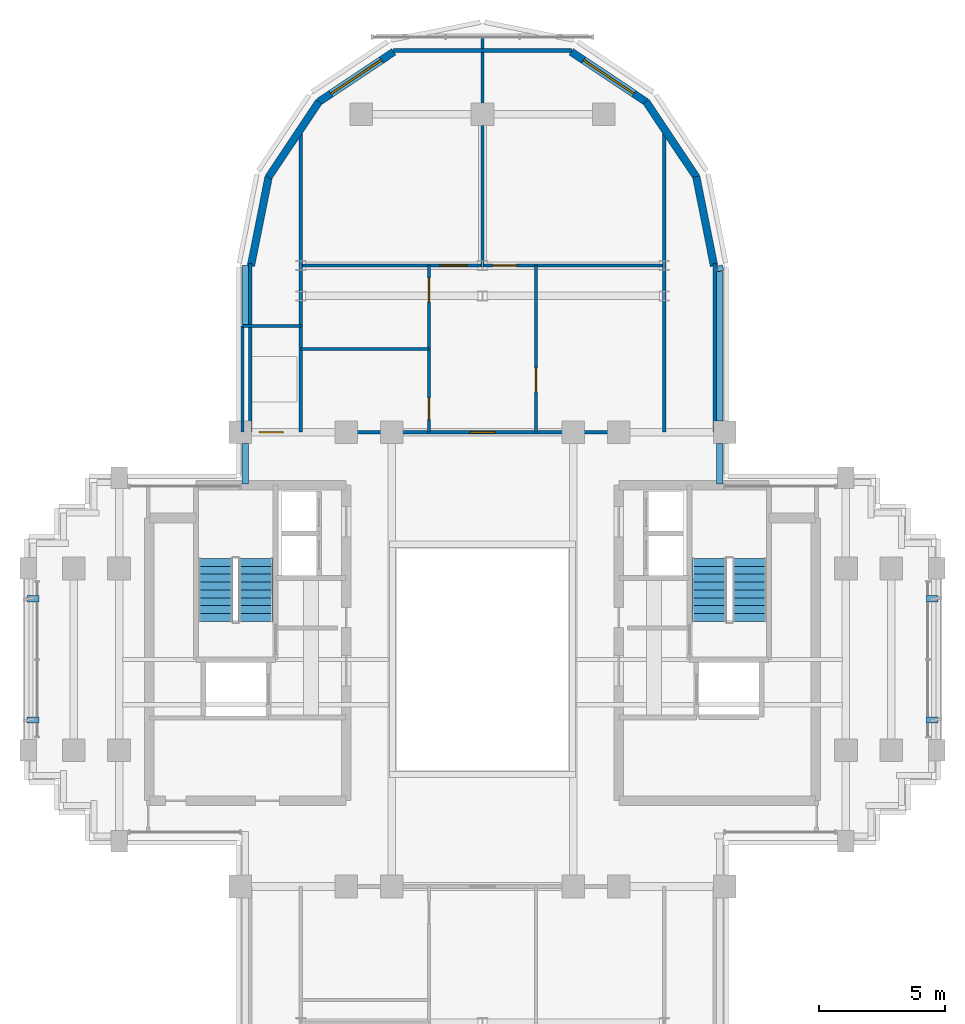
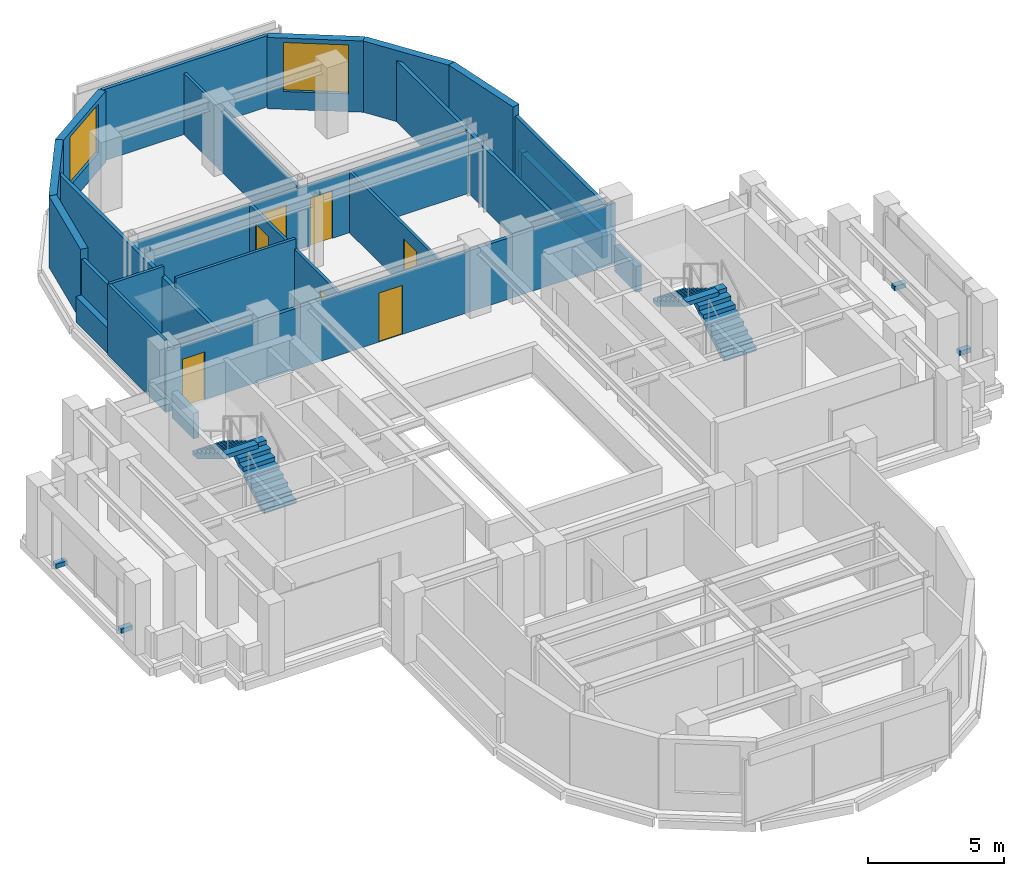
# One storey, part 8 of 11: 24 walls, 7 doors, 4 discrete accessories, 4 stair flights, 2 windows, 9 openings, 2 elements without a shape of their own.
"""IFC4 building model written with IfcOpenShell, lengths in metres."""

from ifc_helpers import new_model, si_unit, direction, frame, frame_2d, origin, origin_2d, place, context, subcontext, project, spatial, polyline, rectangle, outline, extrude, source, transform, mapped, material, layer, layer_set, type_object, element, fill, aggregate, save


model = new_model("IFC4")

# Units and contexts
model_context = context("Model", 3, precision=1e-05, world=origin(), true_north=direction((0.0, 1.0)))
body_context = subcontext(model_context, "Body", "Model", "MODEL_VIEW")
ifc_project = project(units=[si_unit("LENGTHUNIT", "METRE"), si_unit("AREAUNIT", "SQUARE_METRE"), si_unit("VOLUMEUNIT", "CUBIC_METRE"), si_unit("PLANEANGLEUNIT", "RADIAN"), si_unit("MASSUNIT", "GRAM", prefix="KILO")], contexts=[model_context])

# Site, building, storey
site_placement = place(None, origin())
site = spatial("IfcSite", under=ifc_project, at=site_placement, CompositionType="ELEMENT")
building_placement = place(site_placement, origin())
building = spatial("IfcBuilding", under=site, at=building_placement, Name="Keilestroom Media Tower", CompositionType="ELEMENT")
storey_placement = place(building_placement, frame((0.0, 0.0, 204.60009765625)))
storey = spatial("IfcBuildingStorey", under=building, at=storey_placement, Name="L56", CompositionType="ELEMENT", Elevation=204.60009765625)

# Walls
ifc_material_1 = material(Name="Precast concrete C40/50", Category="concrete")
ifc_layer_1 = layer(ifc_material_1, 0.300048828125)
ifc_layer_set_1 = layer_set([ifc_layer_1], Name="Precast concrete C40/50")
wall_type_1 = type_object("IfcWallType", Name="Exterior-Masonry-Spandrel-Wall-300", PredefinedType="SOLIDWALL", material=ifc_layer_set_1)
for number, where, z_axis, x_axis, name in (
    (1, (9.1748046875, 15.585205078125, 0.0), (0.0, 0.0, 1.0), (-0.195114232679, 0.980780523974, 0.0), "L56 Lobe Facet Precast Frame Wall 01"),
    (2, (8.48193359375, 19.097412109375, 0.0), (0.0, 0.0, 1.0), (-0.555574187116, 0.831466970246, 0.0), "L56 Lobe Facet Precast Frame Wall 02"),
):
    element("IfcWall", number, at=place(storey_placement, frame(where, z_axis=z_axis, x_axis=x_axis)), inside=storey, type_object=wall_type_1, Name=name, PredefinedType="SOLIDWALL", context=body_context, shape_type="SweptSolid", body=[
        extrude(rectangle(XDim=3.608642578125, YDim=0.300048828125, at=frame_2d((1.80419921875, 0.0))), origin(), (0.0, 0.0, 1.0), 3.199951171875),
    ])

# Wall, opening, window
wall_1_placement = place(storey_placement, frame((6.497802734375, 22.0771484375, 0.0), z_axis=(0.0, 0.0, 1.0), x_axis=(-0.8314749531, 0.555562239868, 0.0)))
wall_1 = element("IfcWall", 3, at=wall_1_placement, inside=storey, type_object=wall_type_1, Name="L56 Lobe Facet Precast Frame Wall 03", PredefinedType="SOLIDWALL", context=body_context, shape_type="SweptSolid", body=[
    extrude(rectangle(XDim=3.59326171875, YDim=0.300048828125, at=frame_2d((1.796630859375, 0.0))), origin(), (0.0, 0.0, 1.0), 3.199951171875),
])
opening_1_placement = place(wall_1_placement, frame((0.596923828125, 0.0, 0.800048828125)))
opening_1 = element("IfcOpeningElement", 4, at=opening_1_placement, cuts=wall_1, Name="Opening WN-02", PredefinedType="OPENING", context=body_context, shape_type="SweptSolid", body=[
    extrude(rectangle(XDim=2.39990234375, YDim=2.199951171875, at=frame_2d((1.199951171875, 1.10009765625))), frame((0.0, 0.16015625, 0.0), z_axis=(0.0, -1.0, 0.0), x_axis=(1.0, 0.0, 0.0)), (0.0, 0.0, 1.0), 0.320068359375),
])
ifc_material_2 = material(Name="Triple Glazed Low-E Window Unit", Category="glass")
window_type = type_object("IfcWindowType", Name="Recessed-Punched-Window-WN-02", PartitioningType="DOUBLE_PANEL_VERTICAL", PredefinedType="WINDOW", material=ifc_material_2)
shared_shape_1 = source(origin(), body_context, "Body", "SweptSolid", [
    extrude(rectangle(XDim=2.39990234375, YDim=2.199951171875, at=frame_2d((1.199951171875, 1.10009765625))), frame((0.0, 0.030029296875, 0.0), z_axis=(0.0, -1.0, 0.0), x_axis=(1.0, 0.0, 0.0)), (0.0, 0.0, 1.0), 0.06005859375),
])
window_1_placement = place(opening_1_placement, origin())
window_1 = element("IfcWindow", 5, at=window_1_placement, inside=storey, type_object=window_type, Name="L56 Bedroom Lobe Window WN-02 EWL-L56-LCHK-03", OverallHeight=2.199951171875, OverallWidth=2.39990234375, PartitioningType="SINGLE_PANEL", PredefinedType="WINDOW", context=body_context, shape_type="MappedRepresentation", body=[
    mapped(shared_shape_1, transform((0.0, 0.0, 0.0), x_axis=(1.0, 0.0, 0.0), y_axis=(0.0, 1.0, 0.0), z_axis=(0.0, 0.0, 1.0), scale=1.0)),
])
fill(opening_1, window_1)

wall_2_placement = place(storey_placement, frame((-3.510009765625, 24.073486328125, 0.0), z_axis=(0.0, 0.0, 1.0), x_axis=(-0.8314749531, -0.555562239868, 0.0)))
wall_2 = element("IfcWall", 6, at=wall_2_placement, inside=storey, type_object=wall_type_1, Name="L56 Lobe Facet Precast Frame Wall 04", PredefinedType="SOLIDWALL", context=body_context, shape_type="SweptSolid", body=[
    extrude(rectangle(XDim=3.59326171875, YDim=0.300048828125, at=frame_2d((1.796630859375, 0.0))), origin(), (0.0, 0.0, 1.0), 3.199951171875),
])
opening_2_placement = place(wall_2_placement, frame((0.596923828125, 0.0, 0.800048828125)))
opening_2 = element("IfcOpeningElement", 7, at=opening_2_placement, cuts=wall_2, Name="Opening WN-02", PredefinedType="OPENING", context=body_context, shape_type="SweptSolid", body=[
    extrude(rectangle(XDim=2.39990234375, YDim=2.199951171875, at=frame_2d((1.199951171875, 1.10009765625))), frame((0.0, 0.16015625, 0.0), z_axis=(0.0, -1.0, 0.0), x_axis=(1.0, 0.0, 0.0)), (0.0, 0.0, 1.0), 0.320068359375),
])
window_2_placement = place(opening_2_placement, origin())
window_2 = element("IfcWindow", 8, at=window_2_placement, inside=storey, type_object=window_type, Name="L56 Bedroom Lobe Window WN-02 EWL-L56-LCHK-04", OverallHeight=2.199951171875, OverallWidth=2.39990234375, PartitioningType="SINGLE_PANEL", PredefinedType="WINDOW", context=body_context, shape_type="MappedRepresentation", body=[
    mapped(shared_shape_1, transform((0.0, 0.0, 0.0), x_axis=(1.0, 0.0, 0.0), y_axis=(0.0, 1.0, 0.0), z_axis=(0.0, 0.0, 1.0), scale=1.0)),
])
fill(opening_2, window_2)

# Walls
for number, where, z_axis, x_axis, name in (
    (9, (-6.47705078125, 22.097900390625, 0.0), (0.0, 0.0, 1.0), (-0.555574187116, -0.831466970246, 0.0), "L56 Lobe Facet Precast Frame Wall 05"),
    (10, (-8.470703125, 19.12451171875, 0.0), (0.0, 0.0, 1.0), (-0.195114232679, -0.980780523974, 0.0), "L56 Lobe Facet Precast Frame Wall 06"),
):
    element("IfcWall", number, at=place(storey_placement, frame(where, z_axis=z_axis, x_axis=x_axis)), inside=storey, type_object=wall_type_1, Name=name, PredefinedType="SOLIDWALL", context=body_context, shape_type="SweptSolid", body=[
        extrude(rectangle(XDim=3.608642578125, YDim=0.300048828125, at=frame_2d((1.80419921875, 0.0))), origin(), (0.0, 0.0, 1.0), 3.199951171875),
    ])

# Wall, openings, doors
ifc_material_3 = material(Name="Gypsum Plasterboard & Steel Stud", Category="steel")
ifc_layer_2 = layer(ifc_material_3, 0.1201171875)
ifc_layer_set_2 = layer_set([ifc_layer_2], Name="Gypsum Plasterboard & Steel Stud")
wall_type_2 = type_object("IfcWallType", Name="Interior-Partition-Wall-120", PredefinedType="PARTITIONING", material=ifc_layer_set_2)
wall_3_placement = place(storey_placement, frame((-2.1201171875, 9.0, 0.0), z_axis=(0.0, 0.0, 1.0), x_axis=(0.0, 1.0, 0.0)))
wall_3 = element("IfcWall", 11, at=wall_3_placement, inside=storey, type_object=wall_type_2, Name="L56 Interior Wall WP-L56-FW-N-HW", PredefinedType="PARTITIONING", context=body_context, shape_type="SweptSolid", body=[
    extrude(rectangle(XDim=6.60009765625, YDim=0.1201171875, at=frame_2d((3.300048828125, 0.0))), origin(), (0.0, 0.0, 1.0), 2.75),
])
opening_3_placement = place(wall_3_placement, frame((0.5, 0.0, 0.0)))
opening_3 = element("IfcOpeningElement", 12, at=opening_3_placement, cuts=wall_3, Name="Opening DI-05", PredefinedType="OPENING", context=body_context, shape_type="SweptSolid", body=[
    extrude(rectangle(XDim=0.85009765625, YDim=2.10009765625, at=frame_2d((0.425048828125, 1.050048828125))), frame((0.0, 0.070068359375, 0.0), z_axis=(0.0, -1.0, 0.0), x_axis=(1.0, 0.0, 0.0)), (0.0, 0.0, 1.0), 0.14013671875),
])
opening_4_placement = place(wall_3_placement, frame((5.14990234375, 0.0, 0.0)))
opening_4 = element("IfcOpeningElement", 13, at=opening_4_placement, cuts=wall_3, Name="Opening DI-03", PredefinedType="OPENING", context=body_context, shape_type="SweptSolid", body=[
    extrude(rectangle(XDim=0.949951171875, YDim=2.14990234375, at=frame_2d((0.47509765625, 1.074951171875))), frame((0.0, 0.070068359375, 0.0), z_axis=(0.0, -1.0, 0.0), x_axis=(1.0, 0.0, 0.0)), (0.0, 0.0, 1.0), 0.14013671875),
])
ifc_material_4 = material(Name="Lacquered European Oak Leaf", Category="wood")
door_type_1 = type_object("IfcDoorType", Name="Interior-Room-And-Suite-Door-DI-03", OperationType="NOTDEFINED", PredefinedType="DOOR", material=ifc_material_4)
shared_shape_2 = source(origin(), body_context, "Body", "SweptSolid", [
    extrude(rectangle(XDim=0.949951171875, YDim=2.14990234375, at=frame_2d((0.47509765625, 1.074951171875))), frame((0.0, 0.02490234375, 0.0), z_axis=(0.0, -1.0, 0.0), x_axis=(1.0, 0.0, 0.0)), (0.0, 0.0, 1.0), 0.050048828125),
])
door_1_placement = place(opening_4_placement, origin())
door_1 = element("IfcDoor", 14, at=door_1_placement, inside=storey, type_object=door_type_1, Name="L56 Interior Door DI-L56-DFBD2-N", OperationType="SINGLE_SWING_RIGHT", OverallHeight=2.14990234375, OverallWidth=0.949951171875, PredefinedType="DOOR", context=body_context, shape_type="MappedRepresentation", body=[
    mapped(shared_shape_2, transform((0.0, 0.0, 0.0), x_axis=(1.0, 0.0, 0.0), y_axis=(0.0, 1.0, 0.0), z_axis=(0.0, 0.0, 1.0), scale=1.0)),
])
fill(opening_4, door_1)
ifc_material_5 = material(Name="Moisture-Resistant Oak Leaf", Category="wood")
door_type_2 = type_object("IfcDoorType", Name="Interior-En-Suite-And-Cupboard-Door-DI-05", OperationType="NOTDEFINED", PredefinedType="DOOR", material=ifc_material_5)
shared_shape_3 = source(origin(), body_context, "Body", "SweptSolid", [
    extrude(rectangle(XDim=0.85009765625, YDim=2.10009765625, at=frame_2d((0.425048828125, 1.050048828125))), frame((0.0, 0.02490234375, 0.0), z_axis=(0.0, -1.0, 0.0), x_axis=(1.0, 0.0, 0.0)), (0.0, 0.0, 1.0), 0.050048828125),
])
door_2_placement = place(opening_3_placement, origin())
door_2 = element("IfcDoor", 15, at=door_2_placement, inside=storey, type_object=door_type_2, Name="L56 Interior Door DI-L56-DFBTH-N", OperationType="SINGLE_SWING_LEFT", OverallHeight=2.10009765625, OverallWidth=0.85009765625, PredefinedType="DOOR", context=body_context, shape_type="MappedRepresentation", body=[
    mapped(shared_shape_3, transform((0.0, 0.0, 0.0), x_axis=(1.0, 0.0, 0.0), y_axis=(0.0, 1.0, 0.0), z_axis=(0.0, 0.0, 1.0), scale=1.0)),
])
fill(opening_3, door_2)

# Wall
wall_4_placement = place(storey_placement, frame((-7.199951171875, 12.300048828125, 0.0), z_axis=(0.0, 0.0, 1.0), x_axis=(1.0, 0.0, 0.0)))
element("IfcWall", 16, at=wall_4_placement, inside=storey, type_object=wall_type_2, Name="L56 Interior Wall WP-L56-FW-N-HB", PredefinedType="PARTITIONING", context=body_context, shape_type="SweptSolid", body=[
    extrude(rectangle(XDim=5.079833984375, YDim=0.1201171875, at=frame_2d((2.5400390625, 0.0))), origin(), (0.0, 0.0, 1.0), 3.199951171875),
])

# Wall, opening, door
wall_5_placement = place(storey_placement, frame((2.1201171875, 9.0, 0.0), z_axis=(0.0, 0.0, 1.0), x_axis=(0.0, 1.0, 0.0)))
wall_5 = element("IfcWall", 17, at=wall_5_placement, inside=storey, type_object=wall_type_2, Name="L56 Interior Wall WP-L56-FW-N-HE", PredefinedType="PARTITIONING", context=body_context, shape_type="SweptSolid", body=[
    extrude(rectangle(XDim=6.60009765625, YDim=0.1201171875, at=frame_2d((3.300048828125, 0.0))), origin(), (0.0, 0.0, 1.0), 2.75),
])
opening_5_placement = place(wall_5_placement, frame((1.60009765625, 0.0, 0.0)))
opening_5 = element("IfcOpeningElement", 18, at=opening_5_placement, cuts=wall_5, Name="Opening DI-03", PredefinedType="OPENING", context=body_context, shape_type="SweptSolid", body=[
    extrude(rectangle(XDim=0.949951171875, YDim=2.14990234375, at=frame_2d((0.47509765625, 1.074951171875))), frame((0.0, 0.070068359375, 0.0), z_axis=(0.0, -1.0, 0.0), x_axis=(1.0, 0.0, 0.0)), (0.0, 0.0, 1.0), 0.14013671875),
])
door_3_placement = place(opening_5_placement, origin())
door_3 = element("IfcDoor", 19, at=door_3_placement, inside=storey, type_object=door_type_1, Name="L56 Interior Door DI-L56-DFKIT-N", OperationType="SINGLE_SWING_LEFT", OverallHeight=2.14990234375, OverallWidth=0.949951171875, PredefinedType="DOOR", context=body_context, shape_type="MappedRepresentation", body=[
    mapped(shared_shape_2, transform((0.0, 0.0, 0.0), x_axis=(1.0, 0.0, 0.0), y_axis=(0.0, 1.0, 0.0), z_axis=(0.0, 0.0, 1.0), scale=1.0)),
])
fill(opening_5, door_3)

# Wall, openings, doors
wall_6_placement = place(storey_placement, frame((-7.199951171875, 15.60009765625, 0.0), z_axis=(0.0, 0.0, 1.0), x_axis=(1.0, 0.0, 0.0)))
wall_6 = element("IfcWall", 20, at=wall_6_placement, inside=storey, type_object=wall_type_2, Name="L56 Interior Wall WP-L56-FW-N-MID", PredefinedType="PARTITIONING", context=body_context, shape_type="SweptSolid", body=[
    extrude(rectangle(XDim=14.39990234375, YDim=0.1201171875, at=frame_2d((7.199951171875, 0.0))), origin(), (0.0, 0.0, 1.0), 2.75),
])
opening_6_placement = place(wall_6_placement, frame((5.5, 0.0, 0.0)))
opening_6 = element("IfcOpeningElement", 21, at=opening_6_placement, cuts=wall_6, Name="Opening DI-04", PredefinedType="OPENING", context=body_context, shape_type="SweptSolid", body=[
    extrude(rectangle(XDim=1.10009765625, YDim=2.199951171875, at=frame_2d((0.550048828125, 1.10009765625))), frame((0.0, 0.070068359375, 0.0), z_axis=(0.0, -1.0, 0.0), x_axis=(1.0, 0.0, 0.0)), (0.0, 0.0, 1.0), 0.14013671875),
])
opening_7_placement = place(wall_6_placement, frame((7.60009765625, 0.0, 0.0)))
opening_7 = element("IfcOpeningElement", 22, at=opening_7_placement, cuts=wall_6, Name="Opening DI-03", PredefinedType="OPENING", context=body_context, shape_type="SweptSolid", body=[
    extrude(rectangle(XDim=0.949951171875, YDim=2.14990234375, at=frame_2d((0.47509765625, 1.074951171875))), frame((0.0, 0.070068359375, 0.0), z_axis=(0.0, -1.0, 0.0), x_axis=(1.0, 0.0, 0.0)), (0.0, 0.0, 1.0), 0.14013671875),
])
door_4_placement = place(opening_7_placement, origin())
door_4 = element("IfcDoor", 23, at=door_4_placement, inside=storey, type_object=door_type_1, Name="L56 Interior Door DI-L56-DFBD1-N", OperationType="SINGLE_SWING_LEFT", OverallHeight=2.14990234375, OverallWidth=0.949951171875, PredefinedType="DOOR", context=body_context, shape_type="MappedRepresentation", body=[
    mapped(shared_shape_2, transform((0.0, 0.0, 0.0), x_axis=(1.0, 0.0, 0.0), y_axis=(0.0, 1.0, 0.0), z_axis=(0.0, 0.0, 1.0), scale=1.0)),
])
fill(opening_7, door_4)
ifc_material_6 = material(Name="Acoustic Glazed Aluminium Leaf", Category="aluminium")
door_type_3 = type_object("IfcDoorType", Name="Interior-Room-And-Suite-Door-DI-04", OperationType="NOTDEFINED", PredefinedType="DOOR", material=ifc_material_6)
shared_shape_4 = source(origin(), body_context, "Body", "SweptSolid", [
    extrude(rectangle(XDim=1.10009765625, YDim=2.199951171875, at=frame_2d((0.550048828125, 1.10009765625))), frame((0.0, 0.02490234375, 0.0), z_axis=(0.0, -1.0, 0.0), x_axis=(1.0, 0.0, 0.0)), (0.0, 0.0, 1.0), 0.050048828125),
])
door_5_placement = place(opening_6_placement, origin())
door_5 = element("IfcDoor", 24, at=door_5_placement, inside=storey, type_object=door_type_3, Name="L56 Interior Door DI-L56-DFLIV-N", OperationType="SINGLE_SWING_RIGHT", OverallHeight=2.199951171875, OverallWidth=1.10009765625, PredefinedType="DOOR", context=body_context, shape_type="MappedRepresentation", body=[
    mapped(shared_shape_4, transform((0.0, 0.0, 0.0), x_axis=(1.0, 0.0, 0.0), y_axis=(0.0, 1.0, 0.0), z_axis=(0.0, 0.0, 1.0), scale=1.0)),
])
fill(opening_6, door_5)

# Walls
wall_7_placement = place(storey_placement, frame((0.0, 15.60009765625, 0.0), z_axis=(0.0, 0.0, 1.0), x_axis=(0.0, 1.0, 0.0)))
element("IfcWall", 25, at=wall_7_placement, inside=storey, type_object=wall_type_2, Name="L56 Interior Wall WP-L56-FW-N-SP", PredefinedType="PARTITIONING", context=body_context, shape_type="SweptSolid", body=[
    extrude(rectangle(XDim=9.0498046875, YDim=0.1201171875, at=frame_2d((4.52490234375, 0.0))), origin(), (0.0, 0.0, 1.0), 2.75),
])
wall_8_placement = place(storey_placement, frame((-9.5, 13.199951171875, 0.0), z_axis=(0.0, 0.0, 1.0), x_axis=(1.0, 0.0, 0.0)))
element("IfcWall", 26, at=wall_8_placement, inside=storey, type_object=wall_type_2, Name="L56 Interior Wall WP-L56-RWC-NW-N", PredefinedType="PARTITIONING", context=body_context, shape_type="SweptSolid", body=[
    extrude(rectangle(XDim=2.300048828125, YDim=0.1201171875, at=frame_2d((1.14990234375, 0.0))), origin(), (0.0, 0.0, 1.0), 3.199951171875),
])
wall_9_placement = place(storey_placement, frame((-9.5, 9.0, 0.0), z_axis=(0.0, 0.0, 1.0), x_axis=(0.0, 1.0, 0.0)))
element("IfcWall", 27, at=wall_9_placement, inside=storey, type_object=wall_type_2, Name="L56 Interior Wall WP-L56-RWC-NW-W", PredefinedType="PARTITIONING", context=body_context, shape_type="SweptSolid", body=[
    extrude(rectangle(XDim=4.199951171875, YDim=0.1201171875, at=frame_2d((2.10009765625, 0.0))), origin(), (0.0, 0.0, 1.0), 3.199951171875),
])

# Wall, openings, doors
ifc_layer_3 = layer(ifc_material_3, 0.14990234375)
ifc_layer_set_3 = layer_set([ifc_layer_3], Name="Gypsum Plasterboard & Steel Stud")
wall_type_3 = type_object("IfcWallType", Name="Interior-Partition-Wall-150", PredefinedType="PARTITIONING", material=ifc_layer_set_3)
wall_10_placement = place(storey_placement, frame((-9.550048828125, 9.0, 0.0), z_axis=(0.0, 0.0, 1.0), x_axis=(1.0, 0.0, 0.0)))
wall_10 = element("IfcWall", 28, at=wall_10_placement, inside=storey, type_object=wall_type_3, Name="L56 Interior Wall WP-L56-FLT-N-ENTRY", PredefinedType="PARTITIONING", context=body_context, shape_type="SweptSolid", body=[
    extrude(rectangle(XDim=19.10009765625, YDim=0.14990234375, at=frame_2d((9.550048828125, 0.0))), origin(), (0.0, 0.0, 1.0), 2.75),
])
opening_8_placement = place(wall_10_placement, frame((0.699951171875, 0.0, 0.0)))
opening_8 = element("IfcOpeningElement", 29, at=opening_8_placement, cuts=wall_10, Name="Opening DI-03", PredefinedType="OPENING", context=body_context, shape_type="SweptSolid", body=[
    extrude(rectangle(XDim=0.949951171875, YDim=2.14990234375, at=frame_2d((0.47509765625, 1.074951171875))), frame((0.0, 0.0849609375, 0.0), z_axis=(0.0, -1.0, 0.0), x_axis=(1.0, 0.0, 0.0)), (0.0, 0.0, 1.0), 0.169921875),
])
opening_9_placement = place(wall_10_placement, frame((9.050048828125, 0.0, 0.0)))
opening_9 = element("IfcOpeningElement", 30, at=opening_9_placement, cuts=wall_10, Name="Opening DI-01", PredefinedType="OPENING", context=body_context, shape_type="SweptSolid", body=[
    extrude(rectangle(XDim=1.0, YDim=2.199951171875, at=frame_2d((0.5, 1.10009765625))), frame((0.0, 0.0849609375, 0.0), z_axis=(0.0, -1.0, 0.0), x_axis=(1.0, 0.0, 0.0)), (0.0, 0.0, 1.0), 0.169921875),
])
door_6_placement = place(opening_8_placement, origin())
door_6 = element("IfcDoor", 31, at=door_6_placement, inside=storey, type_object=door_type_1, Name="L56 Interior Door DI-L56-DRWC-NW", OperationType="SINGLE_SWING_LEFT", OverallHeight=2.14990234375, OverallWidth=0.949951171875, PredefinedType="DOOR", context=body_context, shape_type="MappedRepresentation", body=[
    mapped(shared_shape_2, transform((0.0, 0.0, 0.0), x_axis=(1.0, 0.0, 0.0), y_axis=(0.0, 1.0, 0.0), z_axis=(0.0, 0.0, 1.0), scale=1.0)),
])
fill(opening_8, door_6)
ifc_material_7 = material(Name="Solid-Core Timber Acoustic Fire Leaf", Category="wood")
door_type_4 = type_object("IfcDoorType", Name="Interior-Apartment-Entrance-Door-DI-01", OperationType="NOTDEFINED", PredefinedType="DOOR", material=ifc_material_7)
shared_shape_5 = source(origin(), body_context, "Body", "SweptSolid", [
    extrude(rectangle(XDim=1.0, YDim=2.199951171875, at=frame_2d((0.5, 1.10009765625))), frame((0.0, 0.02490234375, 0.0), z_axis=(0.0, -1.0, 0.0), x_axis=(1.0, 0.0, 0.0)), (0.0, 0.0, 1.0), 0.050048828125),
])
door_7_placement = place(opening_9_placement, origin())
door_7 = element("IfcDoor", 32, at=door_7_placement, inside=storey, type_object=door_type_4, Name="L56 Interior Door DI-L56-DFENT-N", OperationType="SINGLE_SWING_RIGHT", OverallHeight=2.199951171875, OverallWidth=1.0, PredefinedType="DOOR", context=body_context, shape_type="MappedRepresentation", body=[
    mapped(shared_shape_5, transform((0.0, 0.0, 0.0), x_axis=(1.0, 0.0, 0.0), y_axis=(0.0, 1.0, 0.0), z_axis=(0.0, 0.0, 1.0), scale=1.0)),
])
fill(opening_9, door_7)

# Walls
for number, where, z_axis, x_axis, name in (
    (33, (-9.199951171875, 9.0, 0.0), (0.0, 0.0, 1.0), (0.0, 1.0, 0.0), "L56 Interior Wall WP-L56-NL-CHKW"),
    (34, (9.199951171875, 9.0, 0.0), (0.0, 0.0, 1.0), (0.0, 1.0, 0.0), "L56 Interior Wall WP-L56-NL-CHKE"),
):
    element("IfcWall", number, at=place(storey_placement, frame(where, z_axis=z_axis, x_axis=x_axis)), inside=storey, type_object=wall_type_3, Name=name, PredefinedType="PARTITIONING", context=body_context, shape_type="SweptSolid", body=[
        extrude(rectangle(XDim=6.679931640625, YDim=0.14990234375, at=frame_2d((3.33984375, 0.0))), origin(), (0.0, 0.0, 1.0), 2.75),
    ])
for number, where, z_axis, x_axis, name in (
    (35, (-7.199951171875, 9.0, 0.0), (0.0, 0.0, 1.0), (0.0, 1.0, 0.0), "L56 Interior Wall WP-L56-FW-N-VL"),
    (36, (7.199951171875, 9.0, 0.0), (0.0, 0.0, 1.0), (0.0, 1.0, 0.0), "L56 Interior Wall WP-L56-FW-N-VR"),
):
    element("IfcWall", number, at=place(storey_placement, frame(where, z_axis=z_axis, x_axis=x_axis)), inside=storey, type_object=wall_type_3, Name=name, PredefinedType="PARTITIONING", context=body_context, shape_type="SweptSolid", body=[
        extrude(rectangle(XDim=12.02001953125, YDim=0.14990234375, at=frame_2d((6.010009765625, 0.0))), origin(), (0.0, 0.0, 1.0), 2.75),
    ])
wall_11_placement = place(storey_placement, frame((-3.52001953125, 24.1201171875, 0.0), z_axis=(0.0, 0.0, 1.0), x_axis=(1.0, 0.0, 0.0)))
element("IfcWall", 37, at=wall_11_placement, inside=storey, type_object=wall_type_3, Name="L56 Interior Wall WP-L56-FW-N-TIP", PredefinedType="PARTITIONING", context=body_context, shape_type="SweptSolid", body=[
    extrude(rectangle(XDim=7.0400390625, YDim=0.14990234375, at=frame_2d((3.52001953125, 0.0))), origin(), (0.0, 0.0, 1.0), 3.199951171875),
])
ifc_layer_4 = layer(ifc_material_1, 0.239990234375)
ifc_layer_set_4 = layer_set([ifc_layer_4], Name="Precast concrete C40/50")
wall_type_4 = type_object("IfcWallType", Name="Roof-And-Terrace-Parapet-Wall-240", PredefinedType="PARAPET", material=ifc_layer_set_4)
wall_12_placement = place(storey_placement, frame((-9.39990234375, 6.952880859375, 0.0), z_axis=(0.0, 0.0, 1.0), x_axis=(0.0, 1.0, 0.0)))
element("IfcWall", 38, at=wall_12_placement, inside=storey, type_object=wall_type_4, Name="L56 Perimeter Edge Parapet Wall 24", PredefinedType="PARAPET", context=body_context, shape_type="SweptSolid", body=[
    extrude(rectangle(XDim=1.59423828125, YDim=0.239990234375, at=frame_2d((0.797119140625, 0.0))), origin(), (0.0, 0.0, 1.0), 1.14990234375),
])
wall_13_placement = place(storey_placement, frame((-9.39990234375, 13.262939453125, 0.0), z_axis=(0.0, 0.0, 1.0), x_axis=(0.0, 1.0, 0.0)))
element("IfcWall", 39, at=wall_13_placement, inside=storey, type_object=wall_type_4, Name="L56 Perimeter Edge Parapet Wall 25", PredefinedType="PARAPET", context=body_context, shape_type="SweptSolid", body=[
    extrude(rectangle(XDim=2.33984375, YDim=0.239990234375, at=frame_2d((1.169921875, 0.0))), origin(), (0.0, 0.0, 1.0), 1.14990234375),
])
wall_14_placement = place(storey_placement, frame((9.395263671875, 15.604248046875, 0.0), z_axis=(0.0, 0.0, 1.0), x_axis=(0.194652052864, -0.980872355771, 0.0)))
element("IfcWall", 40, at=wall_14_placement, inside=storey, type_object=wall_type_4, Name="L56 Perimeter Edge Parapet Wall 26", PredefinedType="PARAPET", context=body_context, shape_type="SweptSolid", body=[
    extrude(rectangle(XDim=0.224609375, YDim=0.239990234375, at=frame_2d((0.1123046875, 0.0))), origin(), (0.0, 0.0, 1.0), 1.14990234375),
])
wall_15_placement = place(storey_placement, frame((9.39990234375, 15.357666015625, 0.0), z_axis=(0.0, 0.0, 1.0), x_axis=(0.0, -1.0, 0.0)))
element("IfcWall", 41, at=wall_15_placement, inside=storey, type_object=wall_type_4, Name="L56 Perimeter Edge Parapet Wall 27", PredefinedType="PARAPET", context=body_context, shape_type="SweptSolid", body=[
    extrude(rectangle(XDim=5.90478515625, YDim=0.239990234375, at=frame_2d((2.952392578125, 0.0))), origin(), (0.0, 0.0, 1.0), 1.14990234375),
])
wall_16_placement = place(storey_placement, frame((9.39990234375, 8.547119140625, 0.0), z_axis=(0.0, 0.0, 1.0), x_axis=(0.0, -1.0, 0.0)))
element("IfcWall", 42, at=wall_16_placement, inside=storey, type_object=wall_type_4, Name="L56 Perimeter Edge Parapet Wall 28", PredefinedType="PARAPET", context=body_context, shape_type="SweptSolid", body=[
    extrude(rectangle(XDim=1.59423828125, YDim=0.239990234375, at=frame_2d((0.797119140625, 0.0))), origin(), (0.0, 0.0, 1.0), 1.14990234375),
])

# Stair, stair flights
ifc_material_8 = material(Name="Concrete C45/55", Category="concrete")
stair_type = type_object("IfcStairType", Name="Enclosed-Dog-Leg-Stair-ST-CORE", PredefinedType="HALF_TURN_STAIR", material=ifc_material_8)
stair_1_placement = place(storey_placement, origin())
stair_1 = element("IfcStair", 43, at=stair_1_placement, inside=storey, type_object=stair_type, Name="L56 West Core Escape Stair ST-1", PredefinedType="HALF_TURN_STAIR")
stair_flight_type = type_object("IfcStairFlightType", Name="Precast-Concrete-Stair-Flight-Core-160", PredefinedType="STRAIGHT", material=ifc_material_1)
stair_flight_1_placement = place(storey_placement, frame((-8.97998046875, 1.5, 0.0), z_axis=(0.0, 0.0, 1.0), x_axis=(0.0, 1.0, 0.0)))
stair_flight_1 = element("IfcStairFlight", 44, at=stair_flight_1_placement, type_object=stair_flight_type, Name="ST-1 flight 1", NumberOfRisers=9, NumberOfTreads=8, PredefinedType="STRAIGHT", RiserHeight=0.188888889, TreadLength=0.312, context=body_context, shape_type="SweptSolid", body=[
    extrude(outline(polyline([(0.0, 0.0), (0.0, 0.18896484375), (0.31201171875, 0.18896484375), (0.31201171875, 0.377685546875), (0.6240234375, 0.377685546875), (0.6240234375, 0.566650390625), (0.93603515625, 0.566650390625), (0.93603515625, 0.755615234375), (1.248046875, 0.755615234375), (1.248046875, 0.9443359375), (1.56005859375, 0.9443359375), (1.56005859375, 1.13330078125), (1.8720703125, 1.13330078125), (1.8720703125, 1.322265625), (2.18408203125, 1.322265625), (2.18408203125, 1.51123046875), (2.49609375, 1.51123046875), (2.49609375, 1.699951171875), (2.49609375, 1.32421875), (0.308837890625, 0.0), (0.0, 0.0)])), frame((0.0, 0.68017578125, 0.0), z_axis=(0.0, -1.0, 0.0), x_axis=(1.0, 0.0, 0.0)), (0.0, 0.0, 1.0), 1.360107421875),
])
stair_flight_2_placement = place(storey_placement, frame((-10.580078125, 3.99609375, 1.699951171875), z_axis=(0.0, 0.0, 1.0), x_axis=(0.0, -1.0, 0.0)))
stair_flight_2 = element("IfcStairFlight", 45, at=stair_flight_2_placement, type_object=stair_flight_type, Name="ST-1 flight 2", NumberOfRisers=9, NumberOfTreads=8, PredefinedType="STRAIGHT", RiserHeight=0.188888889, TreadLength=0.312, context=body_context, shape_type="SweptSolid", body=[
    extrude(outline(polyline([(0.0, 0.0), (0.0, 0.18896484375), (0.31201171875, 0.18896484375), (0.31201171875, 0.377685546875), (0.6240234375, 0.377685546875), (0.6240234375, 0.566650390625), (0.93603515625, 0.566650390625), (0.93603515625, 0.755615234375), (1.248046875, 0.755615234375), (1.248046875, 0.9443359375), (1.56005859375, 0.9443359375), (1.56005859375, 1.13330078125), (1.8720703125, 1.13330078125), (1.8720703125, 1.322265625), (2.18408203125, 1.322265625), (2.18408203125, 1.51123046875), (2.49609375, 1.51123046875), (2.49609375, 1.699951171875), (2.49609375, 1.32421875), (0.308837890625, 0.0), (0.0, 0.0)])), frame((0.0, 0.68017578125, 0.0), z_axis=(0.0, -1.0, 0.0), x_axis=(1.0, 0.0, 0.0)), (0.0, 0.0, 1.0), 1.360107421875),
])
aggregate(stair_1, [stair_flight_1, stair_flight_2])

stair_2_placement = place(storey_placement, origin())
stair_2 = element("IfcStair", 46, at=stair_2_placement, inside=storey, type_object=stair_type, Name="L56 East Core Escape Stair ST-2", PredefinedType="HALF_TURN_STAIR")
stair_flight_3_placement = place(storey_placement, frame((10.580078125, 1.5, 0.0), z_axis=(0.0, 0.0, 1.0), x_axis=(0.0, 1.0, 0.0)))
stair_flight_3 = element("IfcStairFlight", 47, at=stair_flight_3_placement, type_object=stair_flight_type, Name="ST-2 flight 1", NumberOfRisers=9, NumberOfTreads=8, PredefinedType="STRAIGHT", RiserHeight=0.188888889, TreadLength=0.312, context=body_context, shape_type="SweptSolid", body=[
    extrude(outline(polyline([(0.0, 0.0), (0.0, 0.18896484375), (0.31201171875, 0.18896484375), (0.31201171875, 0.377685546875), (0.6240234375, 0.377685546875), (0.6240234375, 0.566650390625), (0.93603515625, 0.566650390625), (0.93603515625, 0.755615234375), (1.248046875, 0.755615234375), (1.248046875, 0.9443359375), (1.56005859375, 0.9443359375), (1.56005859375, 1.13330078125), (1.8720703125, 1.13330078125), (1.8720703125, 1.322265625), (2.18408203125, 1.322265625), (2.18408203125, 1.51123046875), (2.49609375, 1.51123046875), (2.49609375, 1.699951171875), (2.49609375, 1.32421875), (0.308837890625, 0.0), (0.0, 0.0)])), frame((0.0, 0.68017578125, 0.0), z_axis=(0.0, -1.0, 0.0), x_axis=(1.0, 0.0, 0.0)), (0.0, 0.0, 1.0), 1.360107421875),
])
stair_flight_4_placement = place(storey_placement, frame((8.97998046875, 3.99609375, 1.699951171875), z_axis=(0.0, 0.0, 1.0), x_axis=(0.0, -1.0, 0.0)))
stair_flight_4 = element("IfcStairFlight", 48, at=stair_flight_4_placement, type_object=stair_flight_type, Name="ST-2 flight 2", NumberOfRisers=9, NumberOfTreads=8, PredefinedType="STRAIGHT", RiserHeight=0.188888889, TreadLength=0.312, context=body_context, shape_type="SweptSolid", body=[
    extrude(outline(polyline([(0.0, 0.0), (0.0, 0.18896484375), (0.31201171875, 0.18896484375), (0.31201171875, 0.377685546875), (0.6240234375, 0.377685546875), (0.6240234375, 0.566650390625), (0.93603515625, 0.566650390625), (0.93603515625, 0.755615234375), (1.248046875, 0.755615234375), (1.248046875, 0.9443359375), (1.56005859375, 0.9443359375), (1.56005859375, 1.13330078125), (1.8720703125, 1.13330078125), (1.8720703125, 1.322265625), (2.18408203125, 1.322265625), (2.18408203125, 1.51123046875), (2.49609375, 1.51123046875), (2.49609375, 1.699951171875), (2.49609375, 1.32421875), (0.308837890625, 0.0), (0.0, 0.0)])), frame((0.0, 0.68017578125, 0.0), z_axis=(0.0, -1.0, 0.0), x_axis=(1.0, 0.0, 0.0)), (0.0, 0.0, 1.0), 1.360107421875),
])
aggregate(stair_2, [stair_flight_3, stair_flight_4])

# Discrete accessories
ifc_material_9 = material(Name="Stainless Steel 1.4401", Category="steel")
discrete_accessory_type = type_object("IfcDiscreteAccessoryType", Name="Facade-Fin-Fixing-Bracket-BRK-1", PredefinedType="BRACKET", material=ifc_material_9)
shared_shape_6 = source(origin(), body_context, "Body", "SweptSolid", [
    extrude(rectangle(XDim=0.47998046875, YDim=0.239990234375, at=origin_2d()), origin(), (0.0, 0.0, 1.0), 0.199951171875),
])
for number, where, z_axis, x_axis, name in (
    (49, (-17.81005859375, -2.39990234375, -0.01025390625), (0.0, 0.0, 1.0), (1.0, 0.0, 0.0), "L56 Sunshade Fin Bracket BRK-1 081"),
    (50, (-17.81005859375, 2.39990234375, -0.01025390625), (0.0, 0.0, 1.0), (1.0, 0.0, 0.0), "L56 Sunshade Fin Bracket BRK-1 082"),
    (51, (17.81005859375, -2.39990234375, -0.01025390625), (0.0, 0.0, 1.0), (1.0, 0.0, 0.0), "L56 Sunshade Fin Bracket BRK-1 083"),
    (52, (17.81005859375, 2.39990234375, -0.01025390625), (0.0, 0.0, 1.0), (1.0, 0.0, 0.0), "L56 Sunshade Fin Bracket BRK-1 084"),
):
    element("IfcDiscreteAccessory", number, at=place(storey_placement, frame(where, z_axis=z_axis, x_axis=x_axis)), inside=storey, type_object=discrete_accessory_type, Name=name, PredefinedType="BRACKET", context=body_context, shape_type="MappedRepresentation", body=[
        mapped(shared_shape_6, transform((0.0, 0.0, 0.0), x_axis=(1.0, 0.0, 0.0), y_axis=(0.0, 1.0, 0.0), z_axis=(0.0, 0.0, 1.0), scale=1.0)),
    ])

save(model, "model.ifc")
